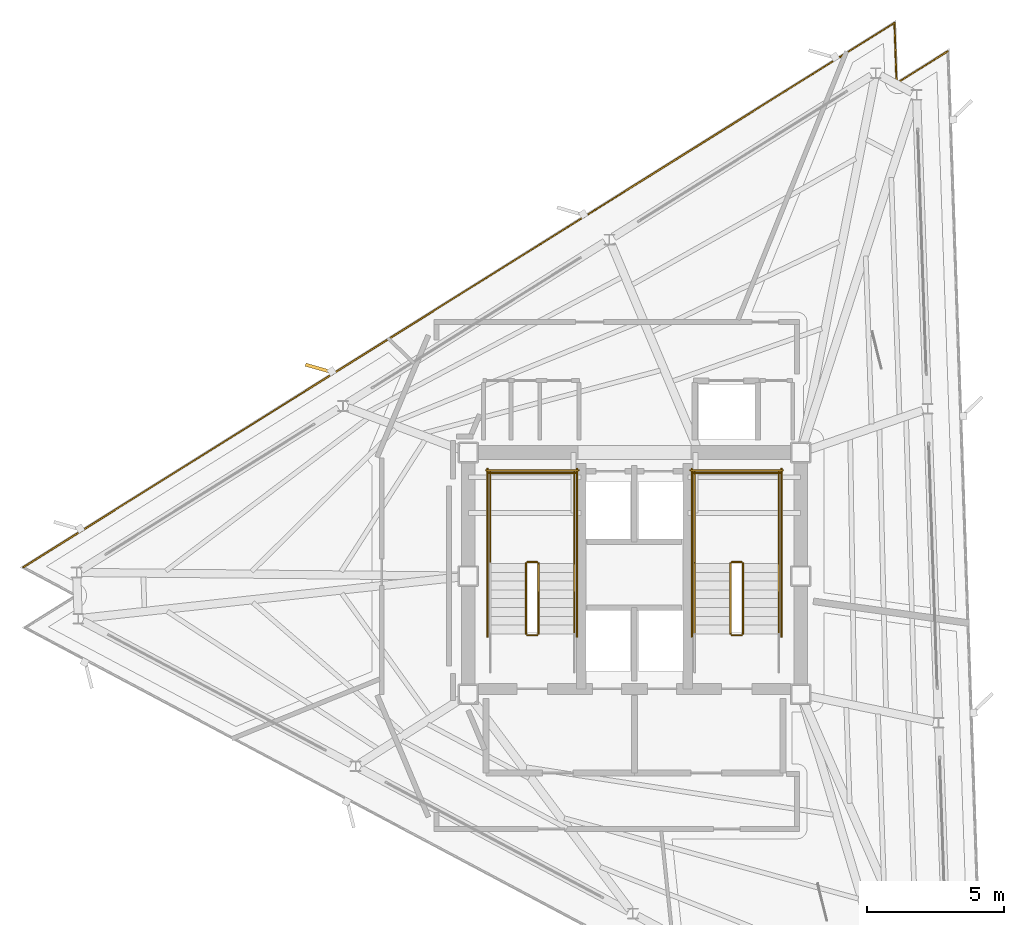
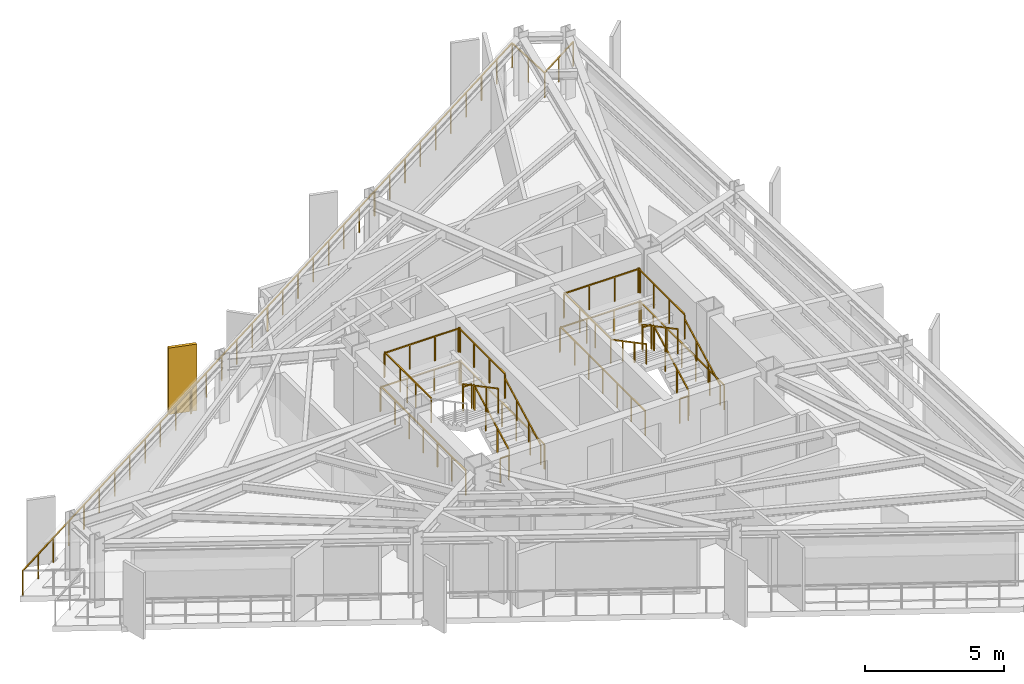
# One storey, part 12 of 13: 24 railings, 1 shading device.
"""IFC4 building model written with IfcOpenShell, lengths in metres."""

from ifc_helpers import new_model, si_unit, direction, frame, origin, origin_2d, place, context, subcontext, project, spatial, rectangle, extrude, material, layer, layer_set, type_object, element, save


model = new_model("IFC4")

# Units and contexts
model_context = context("Model", 3, precision=1e-05, world=origin(), true_north=direction((0.0, 1.0)))
body_context = subcontext(model_context, "Body", "Model", "MODEL_VIEW")
ifc_project = project(units=[si_unit("LENGTHUNIT", "METRE"), si_unit("AREAUNIT", "SQUARE_METRE"), si_unit("VOLUMEUNIT", "CUBIC_METRE"), si_unit("PLANEANGLEUNIT", "RADIAN"), si_unit("MASSUNIT", "GRAM", prefix="KILO")], contexts=[model_context])

# Site, building, storey
site_placement = place(None, origin())
site = spatial("IfcSite", under=ifc_project, at=site_placement, CompositionType="ELEMENT")
building_placement = place(site_placement, origin())
building = spatial("IfcBuilding", under=site, at=building_placement, Name="Rocaltana Carrier Exchange", CompositionType="ELEMENT")
storey_placement = place(building_placement, frame((0.0, 0.0, 202.719970703125)))
storey = spatial("IfcBuildingStorey", under=building, at=storey_placement, Name="L64", CompositionType="ELEMENT", Elevation=202.719970703125)

# Railings
ifc_material_1 = material(Name="Brushed Architectural Stainless Tube", Category="steel")
ifc_layer_1 = layer(ifc_material_1, 0.048095703125)
ifc_layer_set_1 = layer_set([ifc_layer_1], Name="Brushed Architectural Stainless Tube")
railing_type_1 = type_object("IfcRailingType", Name="Stair Wall Handrail 920", PredefinedType="HANDRAIL", material=ifc_layer_set_1)
for number, where, name in (
    (1, (-2.18994140625, -2.10009765625, 0.1689453125), "L64 ST-1 stair handrail 1"),
    (2, (5.25, -2.10009765625, 0.1689453125), "L64 ST-2 stair handrail 1"),
):
    element("IfcRailing", number, at=place(storey_placement, frame(where)), inside=storey, type_object=railing_type_1, Name=name, PredefinedType="HANDRAIL", context=body_context, shape_type="SweptSolid", body=[
        extrude(rectangle(XDim=0.048095703125, YDim=0.048095703125, at=origin_2d()), frame((0.0, 0.0, 0.8759765625), z_axis=(0.0, 0.884394423565, 0.466740295633), x_axis=(-1.0, 0.0, 0.0)), (0.0, 0.0, 1.0), 2.894775390625),
        extrude(rectangle(XDim=0.0419921875, YDim=0.0419921875, at=origin_2d()), origin(), (0.0, 0.0, 1.0), 0.851806640625),
        extrude(rectangle(XDim=0.0419921875, YDim=0.0419921875, at=origin_2d()), frame((0.0, 0.853271484375, 0.450439453125)), (0.0, 0.0, 1.0), 0.851806640625),
        extrude(rectangle(XDim=0.0419921875, YDim=0.0419921875, at=origin_2d()), frame((0.0, 1.706787109375, 0.900634765625)), (0.0, 0.0, 1.0), 0.851806640625),
        extrude(rectangle(XDim=0.0419921875, YDim=0.0419921875, at=origin_2d()), frame((0.0, 2.56005859375, 1.35107421875)), (0.0, 0.0, 1.0), 0.851806640625),
    ])
railing_1_placement = place(storey_placement, frame((2.18994140625, 0.4599609375, 1.68896484375)))
element("IfcRailing", 3, at=railing_1_placement, inside=storey, type_object=railing_type_1, Name="L64 ST-2 stair handrail 2", PredefinedType="HANDRAIL", context=body_context, shape_type="SweptSolid", body=[
    extrude(rectangle(XDim=0.048095703125, YDim=0.048095703125, at=origin_2d()), frame((0.0, 0.0, 0.8759765625), z_axis=(0.0, -0.884394423565, 0.466740295633), x_axis=(1.0, 0.0, 0.0)), (0.0, 0.0, 1.0), 2.894775390625),
    extrude(rectangle(XDim=0.0419921875, YDim=0.0419921875, at=origin_2d()), origin(), (0.0, 0.0, 1.0), 0.851806640625),
    extrude(rectangle(XDim=0.0419921875, YDim=0.0419921875, at=origin_2d()), frame((0.0, -0.853271484375, 0.450439453125)), (0.0, 0.0, 1.0), 0.851806640625),
    extrude(rectangle(XDim=0.0419921875, YDim=0.0419921875, at=origin_2d()), frame((0.0, -1.706787109375, 0.900634765625)), (0.0, 0.0, 1.0), 0.851806640625),
    extrude(rectangle(XDim=0.0419921875, YDim=0.0419921875, at=origin_2d()), frame((0.0, -2.56005859375, 1.35107421875)), (0.0, 0.0, 1.0), 0.851806640625),
])
ifc_material_2 = material(Name="Powder-Coated Aluminium 6063-T6", Category="aluminium")
ifc_layer_2 = layer(ifc_material_2, 0.048095703125)
ifc_layer_set_2 = layer_set([ifc_layer_2], Name="Powder-Coated Aluminium 6063-T6")
railing_type_2 = type_object("IfcRailingType", Name="Stair Well Guardrail 1100", PredefinedType="GUARDRAIL", material=ifc_layer_set_2)
railing_2_placement = place(storey_placement, frame((-3.489990234375, -2.10009765625, 0.1689453125)))
element("IfcRailing", 4, at=railing_2_placement, inside=storey, type_object=railing_type_2, Name="L64 ST-1 stair guard 1", PredefinedType="GUARDRAIL", context=body_context, shape_type="SweptSolid", body=[
    extrude(rectangle(XDim=0.048095703125, YDim=0.048095703125, at=origin_2d()), frame((0.0, 0.0, 1.076171875), z_axis=(0.0, 0.884394423565, 0.466740295633), x_axis=(-1.0, 0.0, 0.0)), (0.0, 0.0, 1.0), 2.894775390625),
    extrude(rectangle(XDim=0.0419921875, YDim=0.0419921875, at=origin_2d()), origin(), (0.0, 0.0, 1.0), 1.052001953125),
    extrude(rectangle(XDim=0.0419921875, YDim=0.0419921875, at=origin_2d()), frame((0.0, 0.853271484375, 0.450439453125)), (0.0, 0.0, 1.0), 1.052001953125),
    extrude(rectangle(XDim=0.0419921875, YDim=0.0419921875, at=origin_2d()), frame((0.0, 1.706787109375, 0.900634765625)), (0.0, 0.0, 1.0), 1.052001953125),
    extrude(rectangle(XDim=0.0419921875, YDim=0.0419921875, at=origin_2d()), frame((0.0, 2.56005859375, 1.35107421875)), (0.0, 0.0, 1.0), 1.052001953125),
])
railing_3_placement = place(storey_placement, frame((-3.5400390625, 0.510009765625, 1.52001953125)))
element("IfcRailing", 5, at=railing_3_placement, inside=storey, type_object=railing_type_2, Name="L64 ST-1 stair guard 2", PredefinedType="GUARDRAIL", context=body_context, shape_type="SweptSolid", body=[
    extrude(rectangle(XDim=0.048095703125, YDim=0.048095703125, at=origin_2d()), frame((0.0, 0.0, 1.076171875), z_axis=(-1.0, 0.0, 0.0), x_axis=(0.0, -1.0, 0.0)), (0.0, 0.0, 1.0), 0.35986328125),
    extrude(rectangle(XDim=0.0419921875, YDim=0.0419921875, at=origin_2d()), origin(), (0.0, 0.0, 1.0), 1.052001953125),
    extrude(rectangle(XDim=0.0419921875, YDim=0.0419921875, at=origin_2d()), frame((-0.35986328125, 0.0, 0.0)), (0.0, 0.0, 1.0), 1.052001953125),
])
for number, where, name in (
    (6, (-2.18994140625, 0.4599609375, 1.52001953125), "L64 ST-1 stair guard 3"),
    (7, (-5.25, 0.4599609375, 1.52001953125), "L64 ST-1 stair guard 4"),
):
    element("IfcRailing", number, at=place(storey_placement, frame(where)), inside=storey, type_object=railing_type_2, Name=name, PredefinedType="GUARDRAIL", context=body_context, shape_type="SweptSolid", body=[
        extrude(rectangle(XDim=0.048095703125, YDim=0.048095703125, at=origin_2d()), frame((0.0, 0.0, 1.076171875), z_axis=(0.0, 1.0, 0.0), x_axis=(-1.0, 0.0, 0.0)), (0.0, 0.0, 1.0), 3.340087890625),
        extrude(rectangle(XDim=0.0419921875, YDim=0.0419921875, at=origin_2d()), origin(), (0.0, 0.0, 1.0), 1.052001953125),
        extrude(rectangle(XDim=0.0419921875, YDim=0.0419921875, at=origin_2d()), frame((0.0, 1.11328125, 0.0)), (0.0, 0.0, 1.0), 1.052001953125),
        extrude(rectangle(XDim=0.0419921875, YDim=0.0419921875, at=origin_2d()), frame((0.0, 2.226806640625, 0.0)), (0.0, 0.0, 1.0), 1.052001953125),
        extrude(rectangle(XDim=0.0419921875, YDim=0.0419921875, at=origin_2d()), frame((0.0, 3.340087890625, 0.0)), (0.0, 0.0, 1.0), 1.052001953125),
    ])
railing_4_placement = place(storey_placement, frame((-2.139892578125, 3.75, 1.52001953125)))
element("IfcRailing", 8, at=railing_4_placement, inside=storey, type_object=railing_type_2, Name="L64 ST-1 stair guard 5", PredefinedType="GUARDRAIL", context=body_context, shape_type="SweptSolid", body=[
    extrude(rectangle(XDim=0.048095703125, YDim=0.048095703125, at=origin_2d()), frame((0.0, 0.0, 1.076171875), z_axis=(-1.0, 0.0, 0.0), x_axis=(0.0, -1.0, 0.0)), (0.0, 0.0, 1.0), 3.16015625),
    extrude(rectangle(XDim=0.0419921875, YDim=0.0419921875, at=origin_2d()), origin(), (0.0, 0.0, 1.0), 1.052001953125),
    extrude(rectangle(XDim=0.0419921875, YDim=0.0419921875, at=origin_2d()), frame((-1.053466796875, 0.0, 0.0)), (0.0, 0.0, 1.0), 1.052001953125),
    extrude(rectangle(XDim=0.0419921875, YDim=0.0419921875, at=origin_2d()), frame((-2.106689453125, 0.0, 0.0)), (0.0, 0.0, 1.0), 1.052001953125),
    extrude(rectangle(XDim=0.0419921875, YDim=0.0419921875, at=origin_2d()), frame((-3.16015625, 0.0, 0.0)), (0.0, 0.0, 1.0), 1.052001953125),
])
railing_5_placement = place(storey_placement, frame((-3.949951171875, 0.4599609375, 1.68896484375)))
element("IfcRailing", 9, at=railing_5_placement, inside=storey, type_object=railing_type_2, Name="L64 ST-1 stair guard 6", PredefinedType="GUARDRAIL", context=body_context, shape_type="SweptSolid", body=[
    extrude(rectangle(XDim=0.048095703125, YDim=0.048095703125, at=origin_2d()), frame((0.0, 0.0, 1.076171875), z_axis=(0.0, -0.884394423565, 0.466740295633), x_axis=(1.0, 0.0, 0.0)), (0.0, 0.0, 1.0), 2.894775390625),
    extrude(rectangle(XDim=0.0419921875, YDim=0.0419921875, at=origin_2d()), origin(), (0.0, 0.0, 1.0), 1.052001953125),
    extrude(rectangle(XDim=0.0419921875, YDim=0.0419921875, at=origin_2d()), frame((0.0, -0.853271484375, 0.450439453125)), (0.0, 0.0, 1.0), 1.052001953125),
    extrude(rectangle(XDim=0.0419921875, YDim=0.0419921875, at=origin_2d()), frame((0.0, -1.706787109375, 0.900634765625)), (0.0, 0.0, 1.0), 1.052001953125),
    extrude(rectangle(XDim=0.0419921875, YDim=0.0419921875, at=origin_2d()), frame((0.0, -2.56005859375, 1.35107421875)), (0.0, 0.0, 1.0), 1.052001953125),
])
railing_6_placement = place(storey_placement, frame((-3.5400390625, -2.14990234375, 0.0)))
element("IfcRailing", 10, at=railing_6_placement, inside=storey, type_object=railing_type_2, Name="L64 ST-1 stair guard 7", PredefinedType="GUARDRAIL", context=body_context, shape_type="SweptSolid", body=[
    extrude(rectangle(XDim=0.048095703125, YDim=0.048095703125, at=origin_2d()), frame((0.0, 0.0, 1.076171875), z_axis=(-1.0, 0.0, 0.0), x_axis=(0.0, -1.0, 0.0)), (0.0, 0.0, 1.0), 0.35986328125),
    extrude(rectangle(XDim=0.0419921875, YDim=0.0419921875, at=origin_2d()), origin(), (0.0, 0.0, 1.0), 1.052001953125),
    extrude(rectangle(XDim=0.0419921875, YDim=0.0419921875, at=origin_2d()), frame((-0.35986328125, 0.0, 0.0)), (0.0, 0.0, 1.0), 1.052001953125),
])
for number, where, name in (
    (11, (-2.090087890625, -2.199951171875, 0.0), "L64 ST-1 stair guard 10"),
    (12, (-5.35009765625, -2.199951171875, 0.0), "L64 ST-1 stair guard 11"),
):
    element("IfcRailing", number, at=place(storey_placement, frame(where)), inside=storey, type_object=railing_type_2, Name=name, PredefinedType="GUARDRAIL", context=body_context, shape_type="SweptSolid", body=[
        extrude(rectangle(XDim=0.048095703125, YDim=0.048095703125, at=origin_2d()), frame((0.0, 0.0, 1.076171875), z_axis=(0.0, 1.0, 0.0), x_axis=(-1.0, 0.0, 0.0)), (0.0, 0.0, 1.0), 6.099853515625),
        extrude(rectangle(XDim=0.0419921875, YDim=0.0419921875, at=origin_2d()), origin(), (0.0, 0.0, 1.0), 1.052001953125),
        extrude(rectangle(XDim=0.0419921875, YDim=0.0419921875, at=origin_2d()), frame((0.0, 1.0166015625, 0.0)), (0.0, 0.0, 1.0), 1.052001953125),
        extrude(rectangle(XDim=0.0419921875, YDim=0.0419921875, at=origin_2d()), frame((0.0, 2.033203125, 0.0)), (0.0, 0.0, 1.0), 1.052001953125),
        extrude(rectangle(XDim=0.0419921875, YDim=0.0419921875, at=origin_2d()), frame((0.0, 3.0498046875, 0.0)), (0.0, 0.0, 1.0), 1.052001953125),
        extrude(rectangle(XDim=0.0419921875, YDim=0.0419921875, at=origin_2d()), frame((0.0, 4.066650390625, 0.0)), (0.0, 0.0, 1.0), 1.052001953125),
        extrude(rectangle(XDim=0.0419921875, YDim=0.0419921875, at=origin_2d()), frame((0.0, 5.083251953125, 0.0)), (0.0, 0.0, 1.0), 1.052001953125),
        extrude(rectangle(XDim=0.0419921875, YDim=0.0419921875, at=origin_2d()), frame((0.0, 6.099853515625, 0.0)), (0.0, 0.0, 1.0), 1.052001953125),
    ])
railing_7_placement = place(storey_placement, frame((-2.0400390625, 3.85009765625, 0.0)))
element("IfcRailing", 13, at=railing_7_placement, inside=storey, type_object=railing_type_2, Name="L64 ST-1 stair guard 12", PredefinedType="GUARDRAIL", context=body_context, shape_type="SweptSolid", body=[
    extrude(rectangle(XDim=0.048095703125, YDim=0.048095703125, at=origin_2d()), frame((0.0, 0.0, 1.076171875), z_axis=(-1.0, 0.0, 0.0), x_axis=(0.0, -1.0, 0.0)), (0.0, 0.0, 1.0), 3.35986328125),
    extrude(rectangle(XDim=0.0419921875, YDim=0.0419921875, at=origin_2d()), origin(), (0.0, 0.0, 1.0), 1.052001953125),
    extrude(rectangle(XDim=0.0419921875, YDim=0.0419921875, at=origin_2d()), frame((-1.119873046875, 0.0, 0.0)), (0.0, 0.0, 1.0), 1.052001953125),
    extrude(rectangle(XDim=0.0419921875, YDim=0.0419921875, at=origin_2d()), frame((-2.239990234375, 0.0, 0.0)), (0.0, 0.0, 1.0), 1.052001953125),
    extrude(rectangle(XDim=0.0419921875, YDim=0.0419921875, at=origin_2d()), frame((-3.35986328125, 0.0, 0.0)), (0.0, 0.0, 1.0), 1.052001953125),
])
railing_8_placement = place(storey_placement, frame((3.949951171875, -2.10009765625, 0.1689453125)))
element("IfcRailing", 14, at=railing_8_placement, inside=storey, type_object=railing_type_2, Name="L64 ST-2 stair guard 1", PredefinedType="GUARDRAIL", context=body_context, shape_type="SweptSolid", body=[
    extrude(rectangle(XDim=0.048095703125, YDim=0.048095703125, at=origin_2d()), frame((0.0, 0.0, 1.076171875), z_axis=(0.0, 0.884394423565, 0.466740295633), x_axis=(-1.0, 0.0, 0.0)), (0.0, 0.0, 1.0), 2.894775390625),
    extrude(rectangle(XDim=0.0419921875, YDim=0.0419921875, at=origin_2d()), origin(), (0.0, 0.0, 1.0), 1.052001953125),
    extrude(rectangle(XDim=0.0419921875, YDim=0.0419921875, at=origin_2d()), frame((0.0, 0.853271484375, 0.450439453125)), (0.0, 0.0, 1.0), 1.052001953125),
    extrude(rectangle(XDim=0.0419921875, YDim=0.0419921875, at=origin_2d()), frame((0.0, 1.706787109375, 0.900634765625)), (0.0, 0.0, 1.0), 1.052001953125),
    extrude(rectangle(XDim=0.0419921875, YDim=0.0419921875, at=origin_2d()), frame((0.0, 2.56005859375, 1.35107421875)), (0.0, 0.0, 1.0), 1.052001953125),
])
railing_9_placement = place(storey_placement, frame((3.89990234375, 0.510009765625, 1.52001953125)))
element("IfcRailing", 15, at=railing_9_placement, inside=storey, type_object=railing_type_2, Name="L64 ST-2 stair guard 2", PredefinedType="GUARDRAIL", context=body_context, shape_type="SweptSolid", body=[
    extrude(rectangle(XDim=0.048095703125, YDim=0.048095703125, at=origin_2d()), frame((0.0, 0.0, 1.076171875), z_axis=(-1.0, 0.0, 0.0), x_axis=(0.0, -1.0, 0.0)), (0.0, 0.0, 1.0), 0.35986328125),
    extrude(rectangle(XDim=0.0419921875, YDim=0.0419921875, at=origin_2d()), origin(), (0.0, 0.0, 1.0), 1.052001953125),
    extrude(rectangle(XDim=0.0419921875, YDim=0.0419921875, at=origin_2d()), frame((-0.35986328125, 0.0, 0.0)), (0.0, 0.0, 1.0), 1.052001953125),
])
for number, where, name in (
    (16, (5.25, 0.4599609375, 1.52001953125), "L64 ST-2 stair guard 3"),
    (17, (2.18994140625, 0.4599609375, 1.52001953125), "L64 ST-2 stair guard 4"),
):
    element("IfcRailing", number, at=place(storey_placement, frame(where)), inside=storey, type_object=railing_type_2, Name=name, PredefinedType="GUARDRAIL", context=body_context, shape_type="SweptSolid", body=[
        extrude(rectangle(XDim=0.048095703125, YDim=0.048095703125, at=origin_2d()), frame((0.0, 0.0, 1.076171875), z_axis=(0.0, 1.0, 0.0), x_axis=(-1.0, 0.0, 0.0)), (0.0, 0.0, 1.0), 3.340087890625),
        extrude(rectangle(XDim=0.0419921875, YDim=0.0419921875, at=origin_2d()), origin(), (0.0, 0.0, 1.0), 1.052001953125),
        extrude(rectangle(XDim=0.0419921875, YDim=0.0419921875, at=origin_2d()), frame((0.0, 1.11328125, 0.0)), (0.0, 0.0, 1.0), 1.052001953125),
        extrude(rectangle(XDim=0.0419921875, YDim=0.0419921875, at=origin_2d()), frame((0.0, 2.226806640625, 0.0)), (0.0, 0.0, 1.0), 1.052001953125),
        extrude(rectangle(XDim=0.0419921875, YDim=0.0419921875, at=origin_2d()), frame((0.0, 3.340087890625, 0.0)), (0.0, 0.0, 1.0), 1.052001953125),
    ])
railing_10_placement = place(storey_placement, frame((5.300048828125, 3.75, 1.52001953125)))
element("IfcRailing", 18, at=railing_10_placement, inside=storey, type_object=railing_type_2, Name="L64 ST-2 stair guard 5", PredefinedType="GUARDRAIL", context=body_context, shape_type="SweptSolid", body=[
    extrude(rectangle(XDim=0.048095703125, YDim=0.048095703125, at=origin_2d()), frame((0.0, 0.0, 1.076171875), z_axis=(-1.0, 0.0, 0.0), x_axis=(0.0, -1.0, 0.0)), (0.0, 0.0, 1.0), 3.16015625),
    extrude(rectangle(XDim=0.0419921875, YDim=0.0419921875, at=origin_2d()), origin(), (0.0, 0.0, 1.0), 1.052001953125),
    extrude(rectangle(XDim=0.0419921875, YDim=0.0419921875, at=origin_2d()), frame((-1.053466796875, 0.0, 0.0)), (0.0, 0.0, 1.0), 1.052001953125),
    extrude(rectangle(XDim=0.0419921875, YDim=0.0419921875, at=origin_2d()), frame((-2.106689453125, 0.0, 0.0)), (0.0, 0.0, 1.0), 1.052001953125),
    extrude(rectangle(XDim=0.0419921875, YDim=0.0419921875, at=origin_2d()), frame((-3.16015625, 0.0, 0.0)), (0.0, 0.0, 1.0), 1.052001953125),
])
railing_11_placement = place(storey_placement, frame((3.489990234375, 0.4599609375, 1.68896484375)))
element("IfcRailing", 19, at=railing_11_placement, inside=storey, type_object=railing_type_2, Name="L64 ST-2 stair guard 6", PredefinedType="GUARDRAIL", context=body_context, shape_type="SweptSolid", body=[
    extrude(rectangle(XDim=0.048095703125, YDim=0.048095703125, at=origin_2d()), frame((0.0, 0.0, 1.076171875), z_axis=(0.0, -0.884394423565, 0.466740295633), x_axis=(1.0, 0.0, 0.0)), (0.0, 0.0, 1.0), 2.894775390625),
    extrude(rectangle(XDim=0.0419921875, YDim=0.0419921875, at=origin_2d()), origin(), (0.0, 0.0, 1.0), 1.052001953125),
    extrude(rectangle(XDim=0.0419921875, YDim=0.0419921875, at=origin_2d()), frame((0.0, -0.853271484375, 0.450439453125)), (0.0, 0.0, 1.0), 1.052001953125),
    extrude(rectangle(XDim=0.0419921875, YDim=0.0419921875, at=origin_2d()), frame((0.0, -1.706787109375, 0.900634765625)), (0.0, 0.0, 1.0), 1.052001953125),
    extrude(rectangle(XDim=0.0419921875, YDim=0.0419921875, at=origin_2d()), frame((0.0, -2.56005859375, 1.35107421875)), (0.0, 0.0, 1.0), 1.052001953125),
])
railing_12_placement = place(storey_placement, frame((3.89990234375, -2.14990234375, 0.0)))
element("IfcRailing", 20, at=railing_12_placement, inside=storey, type_object=railing_type_2, Name="L64 ST-2 stair guard 7", PredefinedType="GUARDRAIL", context=body_context, shape_type="SweptSolid", body=[
    extrude(rectangle(XDim=0.048095703125, YDim=0.048095703125, at=origin_2d()), frame((0.0, 0.0, 1.076171875), z_axis=(-1.0, 0.0, 0.0), x_axis=(0.0, -1.0, 0.0)), (0.0, 0.0, 1.0), 0.35986328125),
    extrude(rectangle(XDim=0.0419921875, YDim=0.0419921875, at=origin_2d()), origin(), (0.0, 0.0, 1.0), 1.052001953125),
    extrude(rectangle(XDim=0.0419921875, YDim=0.0419921875, at=origin_2d()), frame((-0.35986328125, 0.0, 0.0)), (0.0, 0.0, 1.0), 1.052001953125),
])
for number, where, name in (
    (21, (5.35009765625, -2.199951171875, 0.0), "L64 ST-2 stair guard 10"),
    (22, (2.090087890625, -2.199951171875, 0.0), "L64 ST-2 stair guard 11"),
):
    element("IfcRailing", number, at=place(storey_placement, frame(where)), inside=storey, type_object=railing_type_2, Name=name, PredefinedType="GUARDRAIL", context=body_context, shape_type="SweptSolid", body=[
        extrude(rectangle(XDim=0.048095703125, YDim=0.048095703125, at=origin_2d()), frame((0.0, 0.0, 1.076171875), z_axis=(0.0, 1.0, 0.0), x_axis=(-1.0, 0.0, 0.0)), (0.0, 0.0, 1.0), 6.099853515625),
        extrude(rectangle(XDim=0.0419921875, YDim=0.0419921875, at=origin_2d()), origin(), (0.0, 0.0, 1.0), 1.052001953125),
        extrude(rectangle(XDim=0.0419921875, YDim=0.0419921875, at=origin_2d()), frame((0.0, 1.0166015625, 0.0)), (0.0, 0.0, 1.0), 1.052001953125),
        extrude(rectangle(XDim=0.0419921875, YDim=0.0419921875, at=origin_2d()), frame((0.0, 2.033203125, 0.0)), (0.0, 0.0, 1.0), 1.052001953125),
        extrude(rectangle(XDim=0.0419921875, YDim=0.0419921875, at=origin_2d()), frame((0.0, 3.0498046875, 0.0)), (0.0, 0.0, 1.0), 1.052001953125),
        extrude(rectangle(XDim=0.0419921875, YDim=0.0419921875, at=origin_2d()), frame((0.0, 4.066650390625, 0.0)), (0.0, 0.0, 1.0), 1.052001953125),
        extrude(rectangle(XDim=0.0419921875, YDim=0.0419921875, at=origin_2d()), frame((0.0, 5.083251953125, 0.0)), (0.0, 0.0, 1.0), 1.052001953125),
        extrude(rectangle(XDim=0.0419921875, YDim=0.0419921875, at=origin_2d()), frame((0.0, 6.099853515625, 0.0)), (0.0, 0.0, 1.0), 1.052001953125),
    ])
railing_13_placement = place(storey_placement, frame((5.39990234375, 3.85009765625, 0.0)))
element("IfcRailing", 23, at=railing_13_placement, inside=storey, type_object=railing_type_2, Name="L64 ST-2 stair guard 12", PredefinedType="GUARDRAIL", context=body_context, shape_type="SweptSolid", body=[
    extrude(rectangle(XDim=0.048095703125, YDim=0.048095703125, at=origin_2d()), frame((0.0, 0.0, 1.076171875), z_axis=(-1.0, 0.0, 0.0), x_axis=(0.0, -1.0, 0.0)), (0.0, 0.0, 1.0), 3.35986328125),
    extrude(rectangle(XDim=0.0419921875, YDim=0.0419921875, at=origin_2d()), origin(), (0.0, 0.0, 1.0), 1.052001953125),
    extrude(rectangle(XDim=0.0419921875, YDim=0.0419921875, at=origin_2d()), frame((-1.119873046875, 0.0, 0.0)), (0.0, 0.0, 1.0), 1.052001953125),
    extrude(rectangle(XDim=0.0419921875, YDim=0.0419921875, at=origin_2d()), frame((-2.239990234375, 0.0, 0.0)), (0.0, 0.0, 1.0), 1.052001953125),
    extrude(rectangle(XDim=0.0419921875, YDim=0.0419921875, at=origin_2d()), frame((-3.35986328125, 0.0, 0.0)), (0.0, 0.0, 1.0), 1.052001953125),
])

# Shading device
ifc_material_3 = material(Name="Honed Bogota Sandstone & Concrete C45/55", Category="masonry")
ifc_layer_3 = layer(ifc_material_3, 0.1201171875)
ifc_layer_set_3 = layer_set([ifc_layer_3], Name="Honed Bogota Sandstone & Concrete C45/55")
shading_device_type = type_object("IfcShadingDeviceType", Name="Upper Sandstone Shading Fin 1050x120", PredefinedType="USERDEFINED", material=ifc_layer_set_3)
shading_device_placement = place(storey_placement, frame((-11.470703125, 7.55419921875, -0.119873046875), z_axis=(0.0, 0.0, 1.0), x_axis=(-0.961261695938, 0.275637355817, 0.0)))
element("IfcShadingDevice", 24, at=shading_device_placement, inside=storey, type_object=shading_device_type, Name="L64 Sandstone Vertical Fin F2-03", ObjectType="FIN", PredefinedType="USERDEFINED", context=body_context, shape_type="SweptSolid", body=[
    extrude(rectangle(XDim=1.050048828125, YDim=0.1201171875, at=origin_2d()), origin(), (0.0, 0.0, 1.0), 2.91796875),
])

# Railing
ifc_material_4 = material(Name="Powder-Coated Aluminium 6063-T6", Category="aluminium")
ifc_layer_4 = layer(ifc_material_4, 0.06005859375)
ifc_layer_set_4 = layer_set([ifc_layer_4], Name="Powder-Coated Aluminium 6063-T6")
railing_type_3 = type_object("IfcRailingType", Name="Wind-Floor & Terrace Perimeter Guardrail 1100", PredefinedType="GUARDRAIL", material=ifc_layer_set_4)
railing_14_placement = place(storey_placement, frame((-22.248291015625, 0.32373046875, 0.0)))
element("IfcRailing", 25, at=railing_14_placement, inside=storey, type_object=railing_type_3, Name="L64 Perimeter Balcony Guardrail 2", PredefinedType="GUARDRAIL", context=body_context, shape_type="SweptSolid", body=[
    extrude(rectangle(XDim=0.048095703125, YDim=0.048095703125, at=origin_2d()), frame((0.0, 0.0, 1.076171875), z_axis=(0.848050386707, 0.529915598568, 0.0), x_axis=(-0.529915598568, 0.848050386707, 0.0)), (0.0, 0.0, 1.0), 37.39208984375),
    extrude(rectangle(XDim=0.048095703125, YDim=0.048095703125, at=origin_2d()), frame((31.71044921875, 19.814697265625, 1.076171875), z_axis=(0.034848337617, -0.999392612223, 0.0), x_axis=(0.999392612223, 0.034848337617, 0.0)), (0.0, 0.0, 1.0), 2.19970703125),
    extrude(rectangle(XDim=0.048095703125, YDim=0.048095703125, at=origin_2d()), frame((31.787109375, 17.6162109375, 1.076171875), z_axis=(0.848060642886, 0.52989918474, 0.0), x_axis=(-0.52989918474, 0.848060642886, 0.0)), (0.0, 0.0, 1.0), 2.199951171875),
    extrude(rectangle(XDim=0.0419921875, YDim=0.0419921875, at=origin_2d()), origin(), (0.0, 0.0, 1.0), 1.052001953125),
    extrude(rectangle(XDim=0.0419921875, YDim=0.0419921875, at=origin_2d()), frame((0.990966796875, 0.619140625, 0.0)), (0.0, 0.0, 1.0), 1.052001953125),
    extrude(rectangle(XDim=0.0419921875, YDim=0.0419921875, at=origin_2d()), frame((1.98193359375, 1.238525390625, 0.0)), (0.0, 0.0, 1.0), 1.052001953125),
    extrude(rectangle(XDim=0.0419921875, YDim=0.0419921875, at=origin_2d()), frame((2.972900390625, 1.857666015625, 0.0)), (0.0, 0.0, 1.0), 1.052001953125),
    extrude(rectangle(XDim=0.0419921875, YDim=0.0419921875, at=origin_2d()), frame((3.9638671875, 2.476806640625, 0.0)), (0.0, 0.0, 1.0), 1.052001953125),
    extrude(rectangle(XDim=0.0419921875, YDim=0.0419921875, at=origin_2d()), frame((4.954833984375, 3.095947265625, 0.0)), (0.0, 0.0, 1.0), 1.052001953125),
    extrude(rectangle(XDim=0.0419921875, YDim=0.0419921875, at=origin_2d()), frame((5.94580078125, 3.71533203125, 0.0)), (0.0, 0.0, 1.0), 1.052001953125),
    extrude(rectangle(XDim=0.0419921875, YDim=0.0419921875, at=origin_2d()), frame((6.936767578125, 4.33447265625, 0.0)), (0.0, 0.0, 1.0), 1.052001953125),
    extrude(rectangle(XDim=0.0419921875, YDim=0.0419921875, at=origin_2d()), frame((7.927734375, 4.95361328125, 0.0)), (0.0, 0.0, 1.0), 1.052001953125),
    extrude(rectangle(XDim=0.0419921875, YDim=0.0419921875, at=origin_2d()), frame((8.91845703125, 5.572998046875, 0.0)), (0.0, 0.0, 1.0), 1.052001953125),
    extrude(rectangle(XDim=0.0419921875, YDim=0.0419921875, at=origin_2d()), frame((9.909423828125, 6.192138671875, 0.0)), (0.0, 0.0, 1.0), 1.052001953125),
    extrude(rectangle(XDim=0.0419921875, YDim=0.0419921875, at=origin_2d()), frame((10.900390625, 6.811279296875, 0.0)), (0.0, 0.0, 1.0), 1.052001953125),
    extrude(rectangle(XDim=0.0419921875, YDim=0.0419921875, at=origin_2d()), frame((11.891357421875, 7.430419921875, 0.0)), (0.0, 0.0, 1.0), 1.052001953125),
    extrude(rectangle(XDim=0.0419921875, YDim=0.0419921875, at=origin_2d()), frame((12.88232421875, 8.0498046875, 0.0)), (0.0, 0.0, 1.0), 1.052001953125),
    extrude(rectangle(XDim=0.0419921875, YDim=0.0419921875, at=origin_2d()), frame((13.873291015625, 8.6689453125, 0.0)), (0.0, 0.0, 1.0), 1.052001953125),
    extrude(rectangle(XDim=0.0419921875, YDim=0.0419921875, at=origin_2d()), frame((14.8642578125, 9.2880859375, 0.0)), (0.0, 0.0, 1.0), 1.052001953125),
    extrude(rectangle(XDim=0.0419921875, YDim=0.0419921875, at=origin_2d()), frame((15.855224609375, 9.9072265625, 0.0)), (0.0, 0.0, 1.0), 1.052001953125),
    extrude(rectangle(XDim=0.0419921875, YDim=0.0419921875, at=origin_2d()), frame((16.84619140625, 10.526611328125, 0.0)), (0.0, 0.0, 1.0), 1.052001953125),
    extrude(rectangle(XDim=0.0419921875, YDim=0.0419921875, at=origin_2d()), frame((17.837158203125, 11.145751953125, 0.0)), (0.0, 0.0, 1.0), 1.052001953125),
    extrude(rectangle(XDim=0.0419921875, YDim=0.0419921875, at=origin_2d()), frame((18.828125, 11.764892578125, 0.0)), (0.0, 0.0, 1.0), 1.052001953125),
    extrude(rectangle(XDim=0.0419921875, YDim=0.0419921875, at=origin_2d()), frame((19.819091796875, 12.38427734375, 0.0)), (0.0, 0.0, 1.0), 1.052001953125),
    extrude(rectangle(XDim=0.0419921875, YDim=0.0419921875, at=origin_2d()), frame((20.81005859375, 13.00341796875, 0.0)), (0.0, 0.0, 1.0), 1.052001953125),
    extrude(rectangle(XDim=0.0419921875, YDim=0.0419921875, at=origin_2d()), frame((21.801025390625, 13.62255859375, 0.0)), (0.0, 0.0, 1.0), 1.052001953125),
    extrude(rectangle(XDim=0.0419921875, YDim=0.0419921875, at=origin_2d()), frame((22.7919921875, 14.24169921875, 0.0)), (0.0, 0.0, 1.0), 1.052001953125),
    extrude(rectangle(XDim=0.0419921875, YDim=0.0419921875, at=origin_2d()), frame((23.78271484375, 14.861083984375, 0.0)), (0.0, 0.0, 1.0), 1.052001953125),
    extrude(rectangle(XDim=0.0419921875, YDim=0.0419921875, at=origin_2d()), frame((24.773681640625, 15.480224609375, 0.0)), (0.0, 0.0, 1.0), 1.052001953125),
    extrude(rectangle(XDim=0.0419921875, YDim=0.0419921875, at=origin_2d()), frame((25.7646484375, 16.099365234375, 0.0)), (0.0, 0.0, 1.0), 1.052001953125),
    extrude(rectangle(XDim=0.0419921875, YDim=0.0419921875, at=origin_2d()), frame((26.755615234375, 16.71875, 0.0)), (0.0, 0.0, 1.0), 1.052001953125),
    extrude(rectangle(XDim=0.0419921875, YDim=0.0419921875, at=origin_2d()), frame((27.74658203125, 17.337890625, 0.0)), (0.0, 0.0, 1.0), 1.052001953125),
    extrude(rectangle(XDim=0.0419921875, YDim=0.0419921875, at=origin_2d()), frame((28.737548828125, 17.95703125, 0.0)), (0.0, 0.0, 1.0), 1.052001953125),
    extrude(rectangle(XDim=0.0419921875, YDim=0.0419921875, at=origin_2d()), frame((29.728515625, 18.576171875, 0.0)), (0.0, 0.0, 1.0), 1.052001953125),
    extrude(rectangle(XDim=0.0419921875, YDim=0.0419921875, at=origin_2d()), frame((30.719482421875, 19.195556640625, 0.0)), (0.0, 0.0, 1.0), 1.052001953125),
    extrude(rectangle(XDim=0.0419921875, YDim=0.0419921875, at=origin_2d()), frame((31.71044921875, 19.814697265625, 0.0)), (0.0, 0.0, 1.0), 1.052001953125),
    extrude(rectangle(XDim=0.0419921875, YDim=0.0419921875, at=origin_2d()), frame((31.748779296875, 18.71533203125, 0.0)), (0.0, 0.0, 1.0), 1.052001953125),
    extrude(rectangle(XDim=0.0419921875, YDim=0.0419921875, at=origin_2d()), frame((31.787109375, 17.6162109375, 0.0)), (0.0, 0.0, 1.0), 1.052001953125),
    extrude(rectangle(XDim=0.0419921875, YDim=0.0419921875, at=origin_2d()), frame((32.719970703125, 18.19921875, 0.0)), (0.0, 0.0, 1.0), 1.052001953125),
    extrude(rectangle(XDim=0.0419921875, YDim=0.0419921875, at=origin_2d()), frame((33.65283203125, 18.781982421875, 0.0)), (0.0, 0.0, 1.0), 1.052001953125),
])

save(model, "model.ifc")
